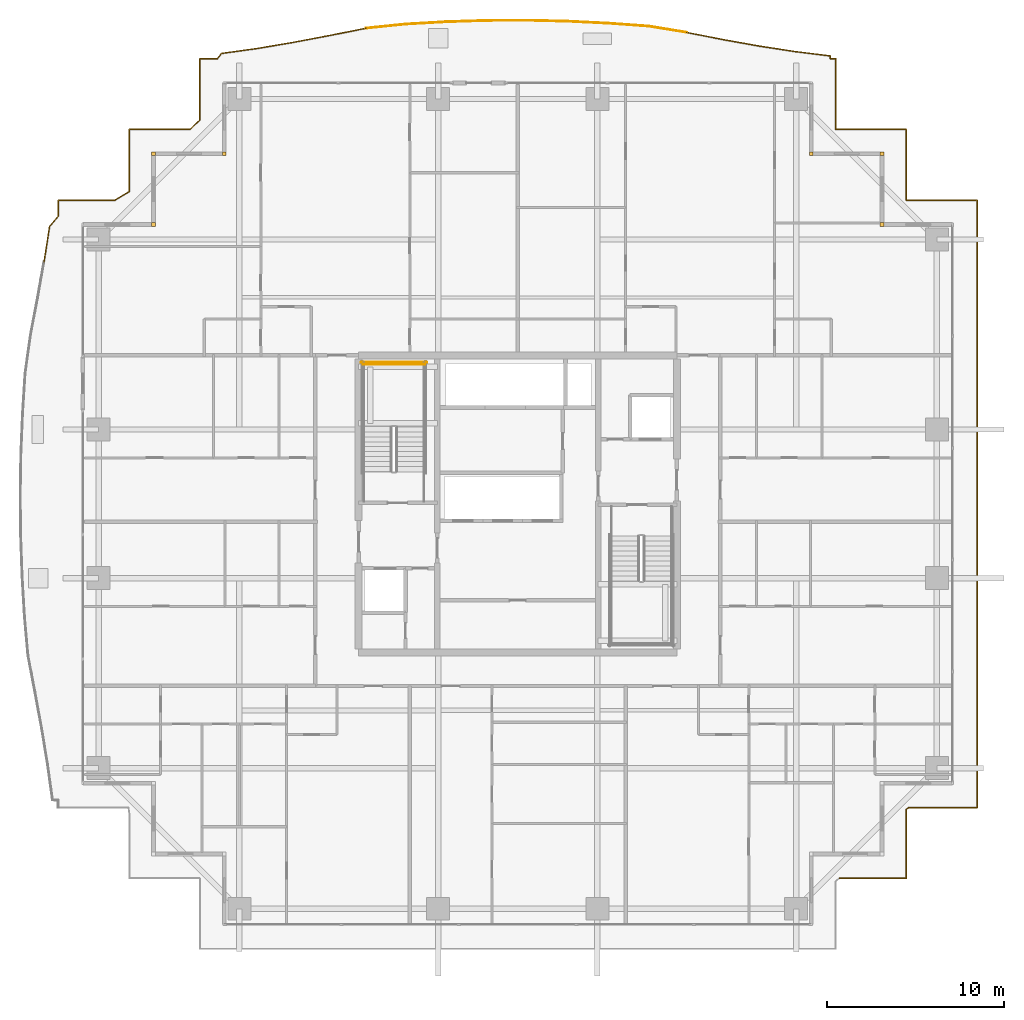
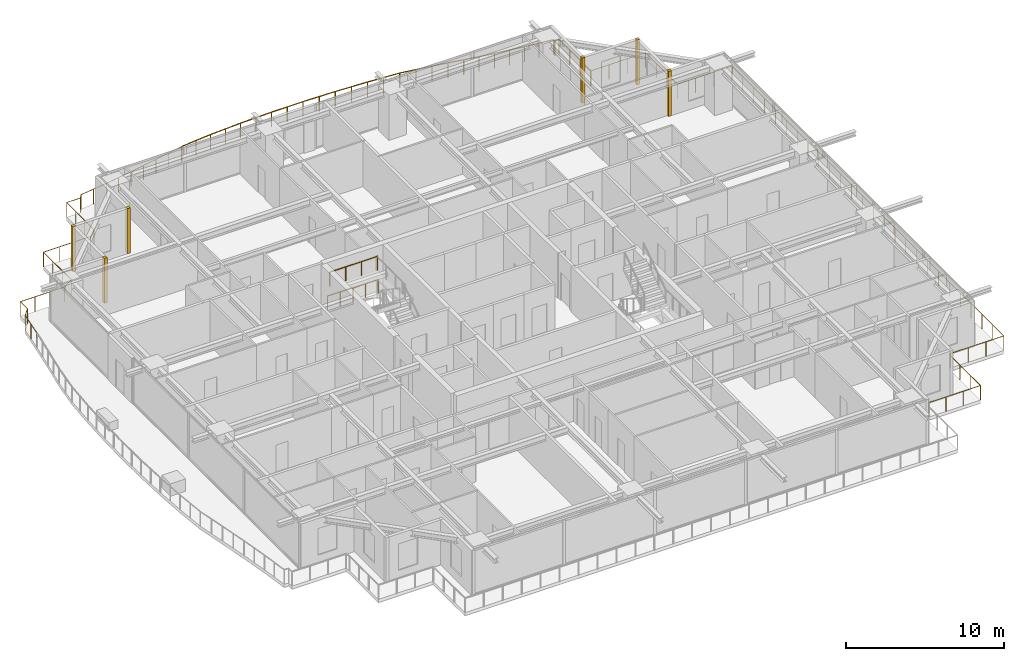
# One storey, part 37 of 37: 7 railings, 6 coverings.
"""IFC4 building model written with IfcOpenShell, lengths in metres."""

from ifc_helpers import new_model, si_unit, direction, frame, origin, origin_2d, place, context, subcontext, project, spatial, rectangle, circle, extrude, source, transform, mapped, material, layer, layer_set, type_object, element, save


model = new_model("IFC4")

# Units and contexts
model_context = context("Model", 3, precision=1e-05, world=origin(), true_north=direction((0.0, 1.0)))
body_context = subcontext(model_context, "Body", "Model", "MODEL_VIEW")
ifc_project = project(units=[si_unit("LENGTHUNIT", "METRE"), si_unit("AREAUNIT", "SQUARE_METRE"), si_unit("VOLUMEUNIT", "CUBIC_METRE"), si_unit("PLANEANGLEUNIT", "RADIAN"), si_unit("MASSUNIT", "GRAM", prefix="KILO")], contexts=[model_context])

# Site, building, storey
site_placement = place(None, origin())
site = spatial("IfcSite", under=ifc_project, at=site_placement, CompositionType="ELEMENT")
building_placement = place(site_placement, origin())
building = spatial("IfcBuilding", under=site, at=building_placement, Name="Serunith Strait Residences", CompositionType="ELEMENT")
storey_placement = place(building_placement, frame((0.0, 0.0, 127.64990234375)))
storey = spatial("IfcBuildingStorey", under=building, at=storey_placement, Name="L31", CompositionType="ELEMENT", Elevation=127.64990234375)

# Railings
ifc_material_1 = material(Name="Stainless Steel & Laminated Glass Balustrade", Category="steel")
railing_type_1 = type_object("IfcRailingType", Name="RLG-BALC-1150", PredefinedType="BALUSTRADE", material=ifc_material_1)
railing_1_placement = place(storey_placement, frame((5.6083984375, 38.88623046875, -0.0498046875)))
element("IfcRailing", 1, at=railing_1_placement, inside=storey, type_object=railing_type_1, Name="L31 Swirling Balcony Perimeter Balustrade 3", PredefinedType="BALUSTRADE", context=body_context, shape_type="SweptSolid", body=[
    extrude(circle(Radius=0.02392578125, at=origin_2d()), frame((0.000244140625, 0.001953125, 1.1259765625), z_axis=(0.153418109504, 0.988161365201, 0.0), x_axis=(-0.988161365201, 0.153418109504, 0.0)), (0.0, 0.0, 1.0), 2.03125),
    extrude(circle(Radius=0.02392578125, at=origin_2d()), frame((0.3134765625, 2.0126953125, 1.1259765625), z_axis=(0.649822605794, 0.760085903697, 0.0), x_axis=(-0.760085903697, 0.649822605794, 0.0)), (0.0, 0.0, 1.0), 0.764404296875),
    extrude(circle(Radius=0.02392578125, at=origin_2d()), frame((0.8115234375, 2.59716796875, 1.1259765625), z_axis=(0.0, 1.0, 0.0), x_axis=(-1.0, 0.0, 0.0)), (0.0, 0.0, 1.0), 0.89453125),
    extrude(circle(Radius=0.02392578125, at=origin_2d()), frame((0.8134765625, 3.49365234375, 1.1259765625), z_axis=(1.0, 0.0, 0.0), x_axis=(0.0, 1.0, 0.0)), (0.0, 0.0, 1.0), 3.20556640625),
    extrude(circle(Radius=0.02392578125, at=origin_2d()), frame((4.022705078125, 3.49462890625, 1.1259765625), z_axis=(0.858753992877, 0.512388114341, 0.0), x_axis=(-0.512388114341, 0.858753992877, 0.0)), (0.0, 0.0, 1.0), 0.91650390625),
    extrude(circle(Radius=0.02392578125, at=origin_2d()), frame((4.8115234375, 3.96728515625, 1.1259765625), z_axis=(0.0, 1.0, 0.0), x_axis=(-1.0, 0.0, 0.0)), (0.0, 0.0, 1.0), 3.5244140625),
    extrude(circle(Radius=0.02392578125, at=origin_2d()), frame((4.8134765625, 7.49365234375, 1.1259765625), z_axis=(1.0, 0.0, 0.0), x_axis=(0.0, 1.0, 0.0)), (0.0, 0.0, 1.0), 3.439697265625),
    extrude(circle(Radius=0.02099609375, at=origin_2d()), origin(), (0.0, 0.0, 1.0), 1.099853515625),
    extrude(circle(Radius=0.02099609375, at=origin_2d()), frame((0.15625, 1.005615234375, 0.0)), (0.0, 0.0, 1.0), 1.099853515625),
    extrude(circle(Radius=0.02099609375, at=origin_2d()), frame((0.312255859375, 2.01123046875, 0.0)), (0.0, 0.0, 1.0), 1.099853515625),
    extrude(circle(Radius=0.02099609375, at=origin_2d()), frame((0.8115234375, 2.59521484375, 0.0)), (0.0, 0.0, 1.0), 1.099853515625),
    extrude(circle(Radius=0.02099609375, at=origin_2d()), frame((0.8115234375, 3.49365234375, 0.0)), (0.0, 0.0, 1.0), 1.099853515625),
    extrude(circle(Radius=0.02099609375, at=origin_2d()), frame((1.88134765625, 3.49365234375, 0.0)), (0.0, 0.0, 1.0), 1.099853515625),
    extrude(circle(Radius=0.02099609375, at=origin_2d()), frame((2.951171875, 3.49365234375, 0.0)), (0.0, 0.0, 1.0), 1.099853515625),
    extrude(circle(Radius=0.02099609375, at=origin_2d()), frame((4.02099609375, 3.49365234375, 0.0)), (0.0, 0.0, 1.0), 1.099853515625),
    extrude(circle(Radius=0.02099609375, at=origin_2d()), frame((4.8115234375, 3.96533203125, 0.0)), (0.0, 0.0, 1.0), 1.099853515625),
    extrude(circle(Radius=0.02099609375, at=origin_2d()), frame((4.8115234375, 5.141357421875, 0.0)), (0.0, 0.0, 1.0), 1.099853515625),
    extrude(circle(Radius=0.02099609375, at=origin_2d()), frame((4.8115234375, 6.317626953125, 0.0)), (0.0, 0.0, 1.0), 1.099853515625),
    extrude(circle(Radius=0.02099609375, at=origin_2d()), frame((4.8115234375, 7.49365234375, 0.0)), (0.0, 0.0, 1.0), 1.099853515625),
    extrude(circle(Radius=0.02099609375, at=origin_2d()), frame((5.95947265625, 7.49365234375, 0.0)), (0.0, 0.0, 1.0), 1.099853515625),
    extrude(circle(Radius=0.02099609375, at=origin_2d()), frame((7.107177734375, 7.49365234375, 0.0)), (0.0, 0.0, 1.0), 1.099853515625),
    extrude(circle(Radius=0.02099609375, at=origin_2d()), frame((8.255126953125, 7.49365234375, 0.0)), (0.0, 0.0, 1.0), 1.099853515625),
])
railing_2_placement = place(storey_placement, frame((13.863525390625, 46.3798828125, -0.0498046875)))
element("IfcRailing", 2, at=railing_2_placement, inside=storey, type_object=railing_type_1, Name="L31 Swirling Balcony Perimeter Balustrade 4", PredefinedType="BALUSTRADE", context=body_context, shape_type="SweptSolid", body=[
    extrude(circle(Radius=0.02392578125, at=origin_2d()), frame((0.00146484375, 0.00146484375, 1.1259765625), z_axis=(0.720097984806, 0.693872389045, 0.0), x_axis=(-0.693872389045, 0.720097984806, 0.0)), (0.0, 0.0, 1.0), 0.7685546875),
    extrude(circle(Radius=0.02392578125, at=origin_2d()), frame((0.556396484375, 0.5380859375, 1.1259765625), z_axis=(0.0, 1.0, 0.0), x_axis=(-1.0, 0.0, 0.0)), (0.0, 0.0, 1.0), 3.4599609375),
    extrude(circle(Radius=0.02392578125, at=origin_2d()), frame((0.558349609375, 4.0, 1.1259765625), z_axis=(1.0, 0.0, 0.0), x_axis=(0.0, 1.0, 0.0)), (0.0, 0.0, 1.0), 1.000244140625),
    extrude(circle(Radius=0.02392578125, at=origin_2d()), frame((1.561767578125, 4.001708984375, 1.1259765625), z_axis=(0.581238193719, 0.813733471207, 0.0), x_axis=(-0.813733471207, 0.581238193719, 0.0)), (0.0, 0.0, 1.0), 0.355224609375),
    extrude(circle(Radius=0.02392578125, at=origin_2d()), frame((1.771240234375, 4.29248046875, 1.1259765625), z_axis=(0.990352047017, 0.138574250744, 0.0), x_axis=(-0.138574250744, 0.990352047017, 0.0)), (0.0, 0.0, 1.0), 2.01318359375),
    extrude(circle(Radius=0.02392578125, at=origin_2d()), frame((3.76904296875, 4.572021484375, 1.1259765625), z_axis=(0.986193128068, 0.165599257703, 0.0), x_axis=(-0.165599257703, 0.986193128068, 0.0)), (0.0, 0.0, 1.0), 2.040771484375),
    extrude(circle(Radius=0.02392578125, at=origin_2d()), frame((5.78564453125, 4.910888671875, 1.1259765625), z_axis=(0.982511955858, 0.186199507507, 0.0), x_axis=(-0.186199507507, 0.982511955858, 0.0)), (0.0, 0.0, 1.0), 2.0859375),
    extrude(circle(Radius=0.02392578125, at=origin_2d()), frame((7.839111328125, 5.300048828125, 1.1259765625), z_axis=(0.98112675012, 0.193365716193, 0.0), x_axis=(-0.193365716193, 0.98112675012, 0.0)), (0.0, 0.0, 1.0), 2.1474609375),
    extrude(circle(Radius=0.02099609375, at=origin_2d()), origin(), (0.0, 0.0, 1.0), 1.099853515625),
    extrude(circle(Radius=0.02099609375, at=origin_2d()), frame((0.556396484375, 0.5361328125, 0.0)), (0.0, 0.0, 1.0), 1.099853515625),
    extrude(circle(Radius=0.02099609375, at=origin_2d()), frame((0.556396484375, 1.690673828125, 0.0)), (0.0, 0.0, 1.0), 1.099853515625),
    extrude(circle(Radius=0.02099609375, at=origin_2d()), frame((0.556396484375, 2.845458984375, 0.0)), (0.0, 0.0, 1.0), 1.099853515625),
    extrude(circle(Radius=0.02099609375, at=origin_2d()), frame((0.556396484375, 4.0, 0.0)), (0.0, 0.0, 1.0), 1.099853515625),
    extrude(circle(Radius=0.02099609375, at=origin_2d()), frame((1.560546875, 4.0, 0.0)), (0.0, 0.0, 1.0), 1.099853515625),
    extrude(circle(Radius=0.02099609375, at=origin_2d()), frame((1.769287109375, 4.292236328125, 0.0)), (0.0, 0.0, 1.0), 1.099853515625),
    extrude(circle(Radius=0.02099609375, at=origin_2d()), frame((2.76806640625, 4.43212890625, 0.0)), (0.0, 0.0, 1.0), 1.099853515625),
    extrude(circle(Radius=0.02099609375, at=origin_2d()), frame((3.76708984375, 4.57177734375, 0.0)), (0.0, 0.0, 1.0), 1.099853515625),
    extrude(circle(Radius=0.02099609375, at=origin_2d()), frame((4.775390625, 4.7412109375, 0.0)), (0.0, 0.0, 1.0), 1.099853515625),
    extrude(circle(Radius=0.02099609375, at=origin_2d()), frame((5.78369140625, 4.910400390625, 0.0)), (0.0, 0.0, 1.0), 1.099853515625),
    extrude(circle(Radius=0.02099609375, at=origin_2d()), frame((6.810546875, 5.10498046875, 0.0)), (0.0, 0.0, 1.0), 1.099853515625),
    extrude(circle(Radius=0.02099609375, at=origin_2d()), frame((7.837158203125, 5.299560546875, 0.0)), (0.0, 0.0, 1.0), 1.099853515625),
    extrude(circle(Radius=0.02099609375, at=origin_2d()), frame((8.892578125, 5.507568359375, 0.0)), (0.0, 0.0, 1.0), 1.099853515625),
    extrude(circle(Radius=0.02099609375, at=origin_2d()), frame((9.947998046875, 5.715576171875, 0.0)), (0.0, 0.0, 1.0), 1.099853515625),
])
railing_3_placement = place(storey_placement, frame((23.8115234375, 52.095458984375, -0.0498046875)))
element("IfcRailing", 3, at=railing_3_placement, inside=storey, type_object=railing_type_1, Name="L31 Swirling Balcony Perimeter Balustrade 5", PredefinedType="BALUSTRADE", context=body_context, shape_type="SweptSolid", body=[
    extrude(circle(Radius=0.02392578125, at=origin_2d()), frame((0.001953125, 0.000244140625, 1.1259765625), z_axis=(0.99467753067, 0.103036935033, 0.0), x_axis=(-0.103036935033, 0.99467753067, 0.0)), (0.0, 0.0, 1.0), 2.232666015625),
    extrude(circle(Radius=0.02392578125, at=origin_2d()), frame((2.226806640625, 0.23046875, 1.1259765625), z_axis=(0.998367851723, 0.057110705176, 0.0), x_axis=(-0.057110705176, 0.998367851723, 0.0)), (0.0, 0.0, 1.0), 2.27880859375),
    extrude(circle(Radius=0.02392578125, at=origin_2d()), frame((4.505859375, 0.36083984375, 1.1259765625), z_axis=(0.999481873802, 0.032186704411, 0.0), x_axis=(-0.032186704411, 0.999481873802, 0.0)), (0.0, 0.0, 1.0), 2.302001953125),
    extrude(circle(Radius=0.02392578125, at=origin_2d()), frame((6.810546875, 0.43505859375, 1.1259765625), z_axis=(0.999990198423, 0.004427534085, 0.0), x_axis=(-0.004427534085, 0.999990198423, 0.0)), (0.0, 0.0, 1.0), 2.31201171875),
    extrude(circle(Radius=0.02392578125, at=origin_2d()), frame((9.12646484375, 0.4453125, 1.1259765625), z_axis=(0.999722625835, -0.023551462662, 0.0), x_axis=(0.023551462662, 0.999722625835, 0.0)), (0.0, 0.0, 1.0), 2.3076171875),
    extrude(circle(Radius=0.02392578125, at=origin_2d()), frame((11.4375, 0.390869140625, 1.1259765625), z_axis=(0.998774013121, -0.049502229386, 0.0), x_axis=(0.049502229386, 0.998774013121, 0.0)), (0.0, 0.0, 1.0), 2.289306640625),
    extrude(circle(Radius=0.02392578125, at=origin_2d()), frame((13.72802734375, 0.277099609375, 1.1259765625), z_axis=(0.997456509854, -0.071277703029, 0.0), x_axis=(0.071277703029, 0.997456509854, 0.0)), (0.0, 0.0, 1.0), 2.260009765625),
    extrude(circle(Radius=0.02392578125, at=origin_2d()), frame((15.986328125, 0.11572265625, 1.1259765625), z_axis=(0.987063095961, -0.160332294287, 0.0), x_axis=(0.160332294287, 0.987063095961, 0.0)), (0.0, 0.0, 1.0), 2.187255859375),
    extrude(circle(Radius=0.02099609375, at=origin_2d()), origin(), (0.0, 0.0, 1.0), 1.099853515625),
    extrude(circle(Radius=0.02099609375, at=origin_2d()), frame((1.1123046875, 0.115234375, 0.0)), (0.0, 0.0, 1.0), 1.099853515625),
    extrude(circle(Radius=0.02099609375, at=origin_2d()), frame((2.224853515625, 0.23046875, 0.0)), (0.0, 0.0, 1.0), 1.099853515625),
    extrude(circle(Radius=0.02099609375, at=origin_2d()), frame((3.3642578125, 0.295654296875, 0.0)), (0.0, 0.0, 1.0), 1.099853515625),
    extrude(circle(Radius=0.02099609375, at=origin_2d()), frame((4.50390625, 0.36083984375, 0.0)), (0.0, 0.0, 1.0), 1.099853515625),
    extrude(circle(Radius=0.02099609375, at=origin_2d()), frame((5.65625, 0.39794921875, 0.0)), (0.0, 0.0, 1.0), 1.099853515625),
    extrude(circle(Radius=0.02099609375, at=origin_2d()), frame((6.80859375, 0.43505859375, 0.0)), (0.0, 0.0, 1.0), 1.099853515625),
    extrude(circle(Radius=0.02099609375, at=origin_2d()), frame((7.966552734375, 0.440185546875, 0.0)), (0.0, 0.0, 1.0), 1.099853515625),
    extrude(circle(Radius=0.02099609375, at=origin_2d()), frame((9.12451171875, 0.4453125, 0.0)), (0.0, 0.0, 1.0), 1.099853515625),
    extrude(circle(Radius=0.02099609375, at=origin_2d()), frame((10.280029296875, 0.41796875, 0.0)), (0.0, 0.0, 1.0), 1.099853515625),
    extrude(circle(Radius=0.02099609375, at=origin_2d()), frame((11.435546875, 0.390869140625, 0.0)), (0.0, 0.0, 1.0), 1.099853515625),
    extrude(circle(Radius=0.02099609375, at=origin_2d()), frame((12.580810546875, 0.333984375, 0.0)), (0.0, 0.0, 1.0), 1.099853515625),
    extrude(circle(Radius=0.02099609375, at=origin_2d()), frame((13.72607421875, 0.27734375, 0.0)), (0.0, 0.0, 1.0), 1.099853515625),
    extrude(circle(Radius=0.02099609375, at=origin_2d()), frame((14.855224609375, 0.19677734375, 0.0)), (0.0, 0.0, 1.0), 1.099853515625),
    extrude(circle(Radius=0.02099609375, at=origin_2d()), frame((15.984375, 0.115966796875, 0.0)), (0.0, 0.0, 1.0), 1.099853515625),
    extrude(circle(Radius=0.02099609375, at=origin_2d()), frame((17.06591796875, -0.0595703125, 0.0)), (0.0, 0.0, 1.0), 1.099853515625),
    extrude(circle(Radius=0.02099609375, at=origin_2d()), frame((18.147216796875, -0.2353515625, 0.0)), (0.0, 0.0, 1.0), 1.099853515625),
])
railing_4_placement = place(storey_placement, frame((41.958740234375, 51.860107421875, -0.0498046875)))
element("IfcRailing", 4, at=railing_4_placement, inside=storey, type_object=railing_type_1, Name="L31 Swirling Balcony Perimeter Balustrade 6", PredefinedType="BALUSTRADE", context=body_context, shape_type="SweptSolid", body=[
    extrude(circle(Radius=0.02392578125, at=origin_2d()), frame((0.001953125, -0.00048828125, 1.1259765625), z_axis=(0.981413895602, -0.191903010708, 0.0), x_axis=(0.191903010708, 0.981413895602, 0.0)), (0.0, 0.0, 1.0), 2.1142578125),
    extrude(circle(Radius=0.02392578125, at=origin_2d()), frame((2.080810546875, -0.40673828125, 1.1259765625), z_axis=(0.984313357301, -0.176429064043, 0.0), x_axis=(0.176429064043, 0.984313357301, 0.0)), (0.0, 0.0, 1.0), 2.060546875),
    extrude(circle(Radius=0.02392578125, at=origin_2d()), frame((4.113037109375, -0.77099609375, 1.1259765625), z_axis=(0.988477178622, -0.151369968437, 0.0), x_axis=(0.151369968437, 0.988477178622, 0.0)), (0.0, 0.0, 1.0), 2.02490234375),
    extrude(circle(Radius=0.02392578125, at=origin_2d()), frame((6.11865234375, -1.078125, 1.1259765625), z_axis=(0.992356162125, -0.123406837297, 0.0), x_axis=(0.123406837297, 0.992356162125, 0.0)), (0.0, 0.0, 1.0), 2.006103515625),
    extrude(circle(Radius=0.02392578125, at=origin_2d()), frame((8.111328125, -1.327880859375, 1.1259765625), z_axis=(-0.007911144829, -0.999968706404, 0.0), x_axis=(0.999968706404, -0.007911144829, 0.0)), (0.0, 0.0, 1.0), 0.150390625),
    extrude(circle(Radius=0.02392578125, at=origin_2d()), frame((8.112060546875, -1.480224609375, 1.1259765625), z_axis=(1.0, 0.0, 0.0), x_axis=(0.0, 1.0, 0.0)), (0.0, 0.0, 1.0), 0.30712890625),
    extrude(circle(Radius=0.02392578125, at=origin_2d()), frame((8.421142578125, -1.482177734375, 1.1259765625), z_axis=(0.0, -1.0, 0.0), x_axis=(1.0, 0.0, 0.0)), (0.0, 0.0, 1.0), 3.99609375),
    extrude(circle(Radius=0.02099609375, at=origin_2d()), origin(), (0.0, 0.0, 1.0), 1.099853515625),
    extrude(circle(Radius=0.02099609375, at=origin_2d()), frame((1.03955078125, -0.203125, 0.0)), (0.0, 0.0, 1.0), 1.099853515625),
    extrude(circle(Radius=0.02099609375, at=origin_2d()), frame((2.078857421875, -0.406494140625, 0.0)), (0.0, 0.0, 1.0), 1.099853515625),
    extrude(circle(Radius=0.02099609375, at=origin_2d()), frame((3.094970703125, -0.588623046875, 0.0)), (0.0, 0.0, 1.0), 1.099853515625),
    extrude(circle(Radius=0.02099609375, at=origin_2d()), frame((4.111083984375, -0.770751953125, 0.0)), (0.0, 0.0, 1.0), 1.099853515625),
    extrude(circle(Radius=0.02099609375, at=origin_2d()), frame((5.11376953125, -0.92431640625, 0.0)), (0.0, 0.0, 1.0), 1.099853515625),
    extrude(circle(Radius=0.02099609375, at=origin_2d()), frame((6.11669921875, -1.077880859375, 0.0)), (0.0, 0.0, 1.0), 1.099853515625),
    extrude(circle(Radius=0.02099609375, at=origin_2d()), frame((7.114013671875, -1.201904296875, 0.0)), (0.0, 0.0, 1.0), 1.099853515625),
    extrude(circle(Radius=0.02099609375, at=origin_2d()), frame((8.111328125, -1.325927734375, 0.0)), (0.0, 0.0, 1.0), 1.099853515625),
    extrude(circle(Radius=0.02099609375, at=origin_2d()), frame((8.110107421875, -1.480224609375, 0.0)), (0.0, 0.0, 1.0), 1.099853515625),
    extrude(circle(Radius=0.02099609375, at=origin_2d()), frame((8.421142578125, -1.480224609375, 0.0)), (0.0, 0.0, 1.0), 1.099853515625),
    extrude(circle(Radius=0.02099609375, at=origin_2d()), frame((8.421142578125, -2.8134765625, 0.0)), (0.0, 0.0, 1.0), 1.099853515625),
    extrude(circle(Radius=0.02099609375, at=origin_2d()), frame((8.421142578125, -4.14697265625, 0.0)), (0.0, 0.0, 1.0), 1.099853515625),
    extrude(circle(Radius=0.02099609375, at=origin_2d()), frame((8.421142578125, -5.480224609375, 0.0)), (0.0, 0.0, 1.0), 1.099853515625),
])
railing_5_placement = place(storey_placement, frame((50.3798828125, 46.3798828125, -0.0498046875)))
element("IfcRailing", 5, at=railing_5_placement, inside=storey, type_object=railing_type_1, Name="L31 Swirling Balcony Perimeter Balustrade 7", PredefinedType="BALUSTRADE", context=body_context, shape_type="SweptSolid", body=[
    extrude(circle(Radius=0.02392578125, at=origin_2d()), frame((0.001953125, 0.0, 1.1259765625), z_axis=(1.0, 0.0, 0.0), x_axis=(0.0, 1.0, 0.0)), (0.0, 0.0, 1.0), 3.99609375),
    extrude(circle(Radius=0.02392578125, at=origin_2d()), frame((4.0, -0.001953125, 1.1259765625), z_axis=(0.0, -1.0, 0.0), x_axis=(1.0, 0.0, 0.0)), (0.0, 0.0, 1.0), 3.99609375),
    extrude(circle(Radius=0.02392578125, at=origin_2d()), frame((4.001953125, -4.0, 1.1259765625), z_axis=(1.0, 0.0, 0.0), x_axis=(0.0, 1.0, 0.0)), (0.0, 0.0, 1.0), 3.99609375),
    extrude(circle(Radius=0.02392578125, at=origin_2d()), frame((8.0, -4.001953125, 1.1259765625), z_axis=(0.0, -1.0, 0.0), x_axis=(1.0, 0.0, 0.0)), (0.0, 0.0, 1.0), 34.35595703125),
    extrude(circle(Radius=0.02392578125, at=origin_2d()), frame((7.998046875, -38.35986328125, 1.1259765625), z_axis=(-1.0, 0.0, 0.0), x_axis=(0.0, -1.0, 0.0)), (0.0, 0.0, 1.0), 3.86083984375),
    extrude(circle(Radius=0.02392578125, at=origin_2d()), frame((4.133544921875, -38.361083984375, 1.1259765625), z_axis=(-0.809367380782, -0.587302684249, 0.0), x_axis=(0.587302684249, -0.809367380782, 0.0)), (0.0, 0.0, 1.0), 0.1630859375),
    extrude(circle(Radius=0.02392578125, at=origin_2d()), frame((4.0, -38.4599609375, 1.1259765625), z_axis=(0.0, -1.0, 0.0), x_axis=(1.0, 0.0, 0.0)), (0.0, 0.0, 1.0), 3.89794921875),
    extrude(circle(Radius=0.02392578125, at=origin_2d()), frame((3.998046875, -42.35986328125, 1.1259765625), z_axis=(-1.0, 0.0, 0.0), x_axis=(0.0, -1.0, 0.0)), (0.0, 0.0, 1.0), 3.774169921875),
    extrude(circle(Radius=0.02099609375, at=origin_2d()), origin(), (0.0, 0.0, 1.0), 1.099853515625),
    extrude(circle(Radius=0.02099609375, at=origin_2d()), frame((1.333251953125, 0.0, 0.0)), (0.0, 0.0, 1.0), 1.099853515625),
    extrude(circle(Radius=0.02099609375, at=origin_2d()), frame((2.666748046875, 0.0, 0.0)), (0.0, 0.0, 1.0), 1.099853515625),
    extrude(circle(Radius=0.02099609375, at=origin_2d()), frame((4.0, 0.0, 0.0)), (0.0, 0.0, 1.0), 1.099853515625),
    extrude(circle(Radius=0.02099609375, at=origin_2d()), frame((4.0, -1.333251953125, 0.0)), (0.0, 0.0, 1.0), 1.099853515625),
    extrude(circle(Radius=0.02099609375, at=origin_2d()), frame((4.0, -2.666748046875, 0.0)), (0.0, 0.0, 1.0), 1.099853515625),
    extrude(circle(Radius=0.02099609375, at=origin_2d()), frame((4.0, -4.0, 0.0)), (0.0, 0.0, 1.0), 1.099853515625),
    extrude(circle(Radius=0.02099609375, at=origin_2d()), frame((5.333251953125, -4.0, 0.0)), (0.0, 0.0, 1.0), 1.099853515625),
    extrude(circle(Radius=0.02099609375, at=origin_2d()), frame((6.666748046875, -4.0, 0.0)), (0.0, 0.0, 1.0), 1.099853515625),
    extrude(circle(Radius=0.02099609375, at=origin_2d()), frame((8.0, -4.0, 0.0)), (0.0, 0.0, 1.0), 1.099853515625),
    extrude(circle(Radius=0.02099609375, at=origin_2d()), frame((8.0, -5.37451171875, 0.0)), (0.0, 0.0, 1.0), 1.099853515625),
    extrude(circle(Radius=0.02099609375, at=origin_2d()), frame((8.0, -6.748779296875, 0.0)), (0.0, 0.0, 1.0), 1.099853515625),
    extrude(circle(Radius=0.02099609375, at=origin_2d()), frame((8.0, -8.123291015625, 0.0)), (0.0, 0.0, 1.0), 1.099853515625),
    extrude(circle(Radius=0.02099609375, at=origin_2d()), frame((8.0, -9.49755859375, 0.0)), (0.0, 0.0, 1.0), 1.099853515625),
    extrude(circle(Radius=0.02099609375, at=origin_2d()), frame((8.0, -10.8720703125, 0.0)), (0.0, 0.0, 1.0), 1.099853515625),
    extrude(circle(Radius=0.02099609375, at=origin_2d()), frame((8.0, -12.246337890625, 0.0)), (0.0, 0.0, 1.0), 1.099853515625),
    extrude(circle(Radius=0.02099609375, at=origin_2d()), frame((8.0, -13.620849609375, 0.0)), (0.0, 0.0, 1.0), 1.099853515625),
    extrude(circle(Radius=0.02099609375, at=origin_2d()), frame((8.0, -14.9951171875, 0.0)), (0.0, 0.0, 1.0), 1.099853515625),
    extrude(circle(Radius=0.02099609375, at=origin_2d()), frame((8.0, -16.36962890625, 0.0)), (0.0, 0.0, 1.0), 1.099853515625),
    extrude(circle(Radius=0.02099609375, at=origin_2d()), frame((8.0, -17.743896484375, 0.0)), (0.0, 0.0, 1.0), 1.099853515625),
    extrude(circle(Radius=0.02099609375, at=origin_2d()), frame((8.0, -19.118408203125, 0.0)), (0.0, 0.0, 1.0), 1.099853515625),
    extrude(circle(Radius=0.02099609375, at=origin_2d()), frame((8.0, -20.49267578125, 0.0)), (0.0, 0.0, 1.0), 1.099853515625),
    extrude(circle(Radius=0.02099609375, at=origin_2d()), frame((8.0, -21.8671875, 0.0)), (0.0, 0.0, 1.0), 1.099853515625),
    extrude(circle(Radius=0.02099609375, at=origin_2d()), frame((8.0, -23.241455078125, 0.0)), (0.0, 0.0, 1.0), 1.099853515625),
    extrude(circle(Radius=0.02099609375, at=origin_2d()), frame((8.0, -24.615966796875, 0.0)), (0.0, 0.0, 1.0), 1.099853515625),
    extrude(circle(Radius=0.02099609375, at=origin_2d()), frame((8.0, -25.990234375, 0.0)), (0.0, 0.0, 1.0), 1.099853515625),
    extrude(circle(Radius=0.02099609375, at=origin_2d()), frame((8.0, -27.36474609375, 0.0)), (0.0, 0.0, 1.0), 1.099853515625),
    extrude(circle(Radius=0.02099609375, at=origin_2d()), frame((8.0, -28.739013671875, 0.0)), (0.0, 0.0, 1.0), 1.099853515625),
    extrude(circle(Radius=0.02099609375, at=origin_2d()), frame((8.0, -30.113525390625, 0.0)), (0.0, 0.0, 1.0), 1.099853515625),
    extrude(circle(Radius=0.02099609375, at=origin_2d()), frame((8.0, -31.48779296875, 0.0)), (0.0, 0.0, 1.0), 1.099853515625),
    extrude(circle(Radius=0.02099609375, at=origin_2d()), frame((8.0, -32.8623046875, 0.0)), (0.0, 0.0, 1.0), 1.099853515625),
    extrude(circle(Radius=0.02099609375, at=origin_2d()), frame((8.0, -34.236572265625, 0.0)), (0.0, 0.0, 1.0), 1.099853515625),
    extrude(circle(Radius=0.02099609375, at=origin_2d()), frame((8.0, -35.611083984375, 0.0)), (0.0, 0.0, 1.0), 1.099853515625),
    extrude(circle(Radius=0.02099609375, at=origin_2d()), frame((8.0, -36.9853515625, 0.0)), (0.0, 0.0, 1.0), 1.099853515625),
    extrude(circle(Radius=0.02099609375, at=origin_2d()), frame((8.0, -38.35986328125, 0.0)), (0.0, 0.0, 1.0), 1.099853515625),
    extrude(circle(Radius=0.02099609375, at=origin_2d()), frame((6.711669921875, -38.35986328125, 0.0)), (0.0, 0.0, 1.0), 1.099853515625),
    extrude(circle(Radius=0.02099609375, at=origin_2d()), frame((5.423583984375, -38.35986328125, 0.0)), (0.0, 0.0, 1.0), 1.099853515625),
    extrude(circle(Radius=0.02099609375, at=origin_2d()), frame((4.13525390625, -38.35986328125, 0.0)), (0.0, 0.0, 1.0), 1.099853515625),
    extrude(circle(Radius=0.02099609375, at=origin_2d()), frame((4.0, -38.4580078125, 0.0)), (0.0, 0.0, 1.0), 1.099853515625),
    extrude(circle(Radius=0.02099609375, at=origin_2d()), frame((4.0, -39.758544921875, 0.0)), (0.0, 0.0, 1.0), 1.099853515625),
    extrude(circle(Radius=0.02099609375, at=origin_2d()), frame((4.0, -41.059326171875, 0.0)), (0.0, 0.0, 1.0), 1.099853515625),
    extrude(circle(Radius=0.02099609375, at=origin_2d()), frame((4.0, -42.35986328125, 0.0)), (0.0, 0.0, 1.0), 1.099853515625),
    extrude(circle(Radius=0.02099609375, at=origin_2d()), frame((2.74072265625, -42.35986328125, 0.0)), (0.0, 0.0, 1.0), 1.099853515625),
    extrude(circle(Radius=0.02099609375, at=origin_2d()), frame((1.481201171875, -42.35986328125, 0.0)), (0.0, 0.0, 1.0), 1.099853515625),
    extrude(circle(Radius=0.02099609375, at=origin_2d()), frame((0.221923828125, -42.35986328125, 0.0)), (0.0, 0.0, 1.0), 1.099853515625),
])
ifc_material_2 = material(Name="Brushed stainless steel 316L", Category="steel")
railing_type_2 = type_object("IfcRailingType", Name="RLG-STAIR-GUARD", PredefinedType="BALUSTRADE", material=ifc_material_2)
railing_6_placement = place(storey_placement, frame((27.14990234375, 33.10009765625, 1.875)))
element("IfcRailing", 6, at=railing_6_placement, inside=storey, type_object=railing_type_2, Name="L31 ST-1 stair guard 5", PredefinedType="BALUSTRADE", context=body_context, shape_type="SweptSolid", body=[
    extrude(circle(Radius=0.02392578125, at=origin_2d()), frame((-0.001953125, 0.0, 1.076171875), z_axis=(-1.0, 0.0, 0.0), x_axis=(0.0, -1.0, 0.0)), (0.0, 0.0, 1.0), 3.49609375),
    extrude(circle(Radius=0.02099609375, at=origin_2d()), origin(), (0.0, 0.0, 1.0), 1.050048828125),
    extrude(circle(Radius=0.02099609375, at=origin_2d()), frame((-1.166748046875, 0.0, 0.0)), (0.0, 0.0, 1.0), 1.050048828125),
    extrude(circle(Radius=0.02099609375, at=origin_2d()), frame((-2.333251953125, 0.0, 0.0)), (0.0, 0.0, 1.0), 1.050048828125),
    extrude(circle(Radius=0.02099609375, at=origin_2d()), frame((-3.5, 0.0, 0.0)), (0.0, 0.0, 1.0), 1.050048828125),
])
railing_7_placement = place(storey_placement, frame((27.25, 33.199951171875, 0.0)))
element("IfcRailing", 7, at=railing_7_placement, inside=storey, type_object=railing_type_2, Name="L31 ST-1 stair guard 12", PredefinedType="BALUSTRADE", context=body_context, shape_type="SweptSolid", body=[
    extrude(circle(Radius=0.02392578125, at=origin_2d()), frame((-0.001953125, 0.0, 1.076171875), z_axis=(-1.0, 0.0, 0.0), x_axis=(0.0, -1.0, 0.0)), (0.0, 0.0, 1.0), 3.696044921875),
    extrude(circle(Radius=0.02099609375, at=origin_2d()), origin(), (0.0, 0.0, 1.0), 1.050048828125),
    extrude(circle(Radius=0.02099609375, at=origin_2d()), frame((-0.925048828125, 0.0, 0.0)), (0.0, 0.0, 1.0), 1.050048828125),
    extrude(circle(Radius=0.02099609375, at=origin_2d()), frame((-1.85009765625, 0.0, 0.0)), (0.0, 0.0, 1.0), 1.050048828125),
    extrude(circle(Radius=0.02099609375, at=origin_2d()), frame((-2.77490234375, 0.0, 0.0)), (0.0, 0.0, 1.0), 1.050048828125),
    extrude(circle(Radius=0.02099609375, at=origin_2d()), frame((-3.699951171875, 0.0, 0.0)), (0.0, 0.0, 1.0), 1.050048828125),
])

# Coverings
ifc_material_3 = material(Name="Pale-Champagne Anodised Aluminium", Category="aluminium")
ifc_layer = layer(ifc_material_3, 0.219970703125, Name="Pale-Champagne Anodised Aluminium")
ifc_layer_set = layer_set([ifc_layer], Name="Pale-Champagne Anodised Aluminium")
covering_type = type_object("IfcCoveringType", Name="COV-CORN-TRIM", PredefinedType="CLADDING", material=ifc_layer_set)
shared_shape = source(origin(), body_context, "Body", "SweptSolid", [
    extrude(rectangle(XDim=0.221923828125, YDim=0.221923828125, at=origin_2d()), origin(), (0.0, 0.0, 1.0), 3.47509765625),
])
for number, where, z_axis, x_axis, name in (
    (8, (53.0, 41.0, 0.0), (0.0, 0.0, 1.0), (1.0, 0.0, 0.0), "L31 Girih Serrated Corner Trim Post 07"),
    (9, (53.0, 45.0, 0.0), (0.0, 0.0, 1.0), (1.0, 0.0, 0.0), "L31 Girih Serrated Corner Trim Post 08"),
    (10, (49.0, 45.0, 0.0), (0.0, 0.0, 1.0), (1.0, 0.0, 0.0), "L31 Girih Serrated Corner Trim Post 09"),
    (11, (15.800048828125, 45.0, 0.0), (0.0, 0.0, 1.0), (1.0, 0.0, 0.0), "L31 Girih Serrated Corner Trim Post 12"),
    (12, (11.800048828125, 45.0, 0.0), (0.0, 0.0, 1.0), (1.0, 0.0, 0.0), "L31 Girih Serrated Corner Trim Post 13"),
    (13, (11.800048828125, 41.0, 0.0), (0.0, 0.0, 1.0), (1.0, 0.0, 0.0), "L31 Girih Serrated Corner Trim Post 14"),
):
    element("IfcCovering", number, at=place(storey_placement, frame(where, z_axis=z_axis, x_axis=x_axis)), inside=storey, type_object=covering_type, Name=name, PredefinedType="CLADDING", context=body_context, shape_type="MappedRepresentation", body=[
        mapped(shared_shape, transform((0.0, 0.0, 0.0), scale=1.0)),
    ])

save(model, "model.ifc")
